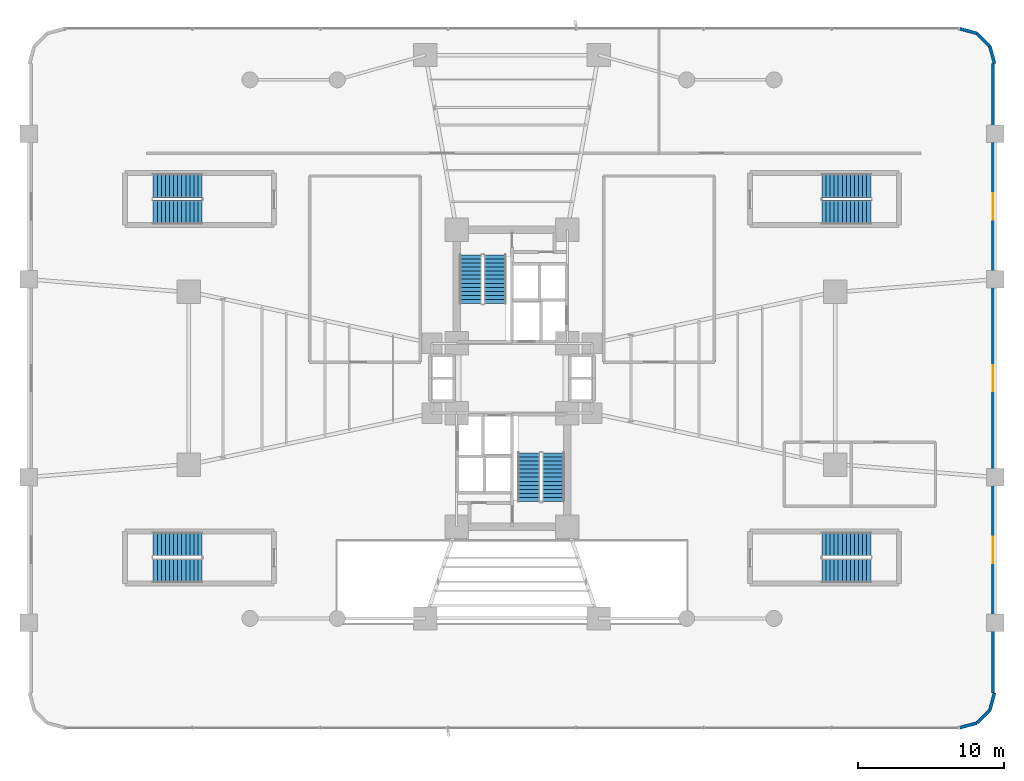
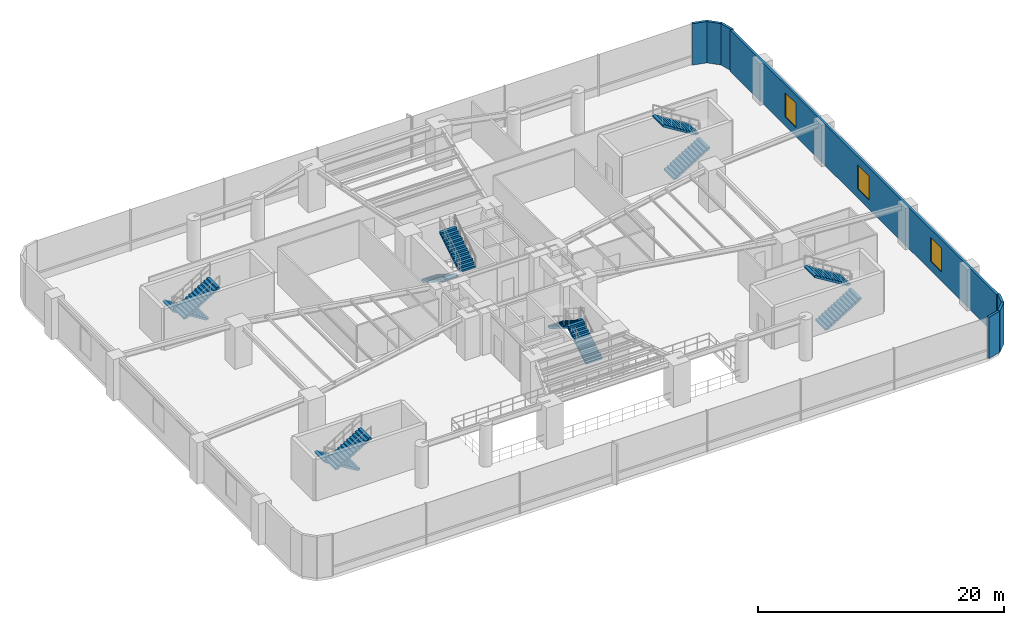
# One storey, part 18 of 23: 12 stair flights, 7 walls, 3 windows, 3 openings, 6 elements without a shape of their own.
"""IFC4 building model written with IfcOpenShell, lengths in metres."""

from ifc_helpers import new_model, si_unit, direction, frame, frame_2d, origin, origin_2d, place, context, subcontext, project, spatial, polyline, rectangle, outline, extrude, source, transform, mapped, material, layer, layer_set, type_object, element, fill, aggregate, save


model = new_model("IFC4")

# Units and contexts
model_context = context("Model", 3, precision=1e-05, world=origin(), true_north=direction((0.0, 1.0)))
body_context = subcontext(model_context, "Body", "Model", "MODEL_VIEW")
ifc_project = project(units=[si_unit("LENGTHUNIT", "METRE"), si_unit("AREAUNIT", "SQUARE_METRE"), si_unit("VOLUMEUNIT", "CUBIC_METRE"), si_unit("PLANEANGLEUNIT", "RADIAN"), si_unit("MASSUNIT", "GRAM", prefix="KILO")], contexts=[model_context])

# Site, building, storey
site_placement = place(None, origin())
site = spatial("IfcSite", under=ifc_project, at=site_placement, CompositionType="ELEMENT")
building_placement = place(site_placement, origin())
building = spatial("IfcBuilding", under=site, at=building_placement, Name="Sahyath Konkavel Grand Hotel", CompositionType="ELEMENT")
storey_placement = place(building_placement, frame((0.0, 0.0, 4.800048828125)))
storey = spatial("IfcBuildingStorey", under=building, at=storey_placement, Name="L01", CompositionType="ELEMENT", Elevation=4.800048828125)

# Walls
ifc_material_1 = material(Name="Warm Buff Sandstone Insulated Concrete C40/50", Category="masonry")
ifc_layer = layer(ifc_material_1, 0.219970703125)
ifc_layer_set = layer_set([ifc_layer], Name="Warm Buff Sandstone Insulated Concrete C40/50")
wall_type = type_object("IfcWallType", Name="WLL-BALC-THRESH", PredefinedType="STANDARD", material=ifc_layer_set)
wall_1_placement = place(storey_placement, frame((30.751953125, -24.012939453125, 0.0), z_axis=(0.0, 0.0, 1.0), x_axis=(0.965924366126, 0.258824494443, 0.0)))
element("IfcWall", 1, at=wall_1_placement, inside=storey, type_object=wall_type, Name="L01 Rounded Podium Corner Sandstone Pier 0", PredefinedType="STANDARD", context=body_context, shape_type="SweptSolid", body=[
    extrude(rectangle(XDim=1.2421875, YDim=0.219970703125, at=frame_2d((0.62109375, 0.0))), origin(), (0.0, 0.0, 1.0), 4.099853515625),
])
wall_2_placement = place(storey_placement, frame((31.951904296875, -23.69140625, 0.0), z_axis=(0.0, 0.0, 1.0), x_axis=(0.707205024573, 0.707008524149, 0.0)))
element("IfcWall", 2, at=wall_2_placement, inside=storey, type_object=wall_type, Name="L01 Rounded Podium Corner Sandstone Pier 1", PredefinedType="STANDARD", context=body_context, shape_type="SweptSolid", body=[
    extrude(rectangle(XDim=1.242431640625, YDim=0.219970703125, at=frame_2d((0.62109375, 0.0))), origin(), (0.0, 0.0, 1.0), 4.099853515625),
])
for number, where, z_axis, x_axis, name in (
    (3, (32.83056640625, -22.81298828125, 0.0), (0.0, 0.0, 1.0), (0.258824494443, 0.965924366126, 0.0), "L01 Rounded Podium Corner Sandstone Pier 2"),
    (4, (33.152099609375, 21.613037109375, 0.0), (0.0, 0.0, 1.0), (-0.258824494443, 0.965924366126, 0.0), "L01 Rounded Podium Corner Sandstone Pier 4"),
):
    element("IfcWall", number, at=place(storey_placement, frame(where, z_axis=z_axis, x_axis=x_axis)), inside=storey, type_object=wall_type, Name=name, PredefinedType="STANDARD", context=body_context, shape_type="SweptSolid", body=[
        extrude(rectangle(XDim=1.2421875, YDim=0.219970703125, at=frame_2d((0.62109375, 0.0))), origin(), (0.0, 0.0, 1.0), 4.099853515625),
    ])
wall_3_placement = place(storey_placement, frame((32.83056640625, 22.81298828125, 0.0), z_axis=(0.0, 0.0, 1.0), x_axis=(-0.707205024573, 0.707008524149, 0.0)))
element("IfcWall", 5, at=wall_3_placement, inside=storey, type_object=wall_type, Name="L01 Rounded Podium Corner Sandstone Pier 5", PredefinedType="STANDARD", context=body_context, shape_type="SweptSolid", body=[
    extrude(rectangle(XDim=1.242431640625, YDim=0.219970703125, at=frame_2d((0.62109375, 0.0))), origin(), (0.0, 0.0, 1.0), 4.099853515625),
])
wall_4_placement = place(storey_placement, frame((31.951904296875, 23.69140625, 0.0), z_axis=(0.0, 0.0, 1.0), x_axis=(-0.965924366126, 0.258824494443, 0.0)))
element("IfcWall", 6, at=wall_4_placement, inside=storey, type_object=wall_type, Name="L01 Rounded Podium Corner Sandstone Pier 6", PredefinedType="STANDARD", context=body_context, shape_type="SweptSolid", body=[
    extrude(rectangle(XDim=1.2421875, YDim=0.219970703125, at=frame_2d((0.62109375, 0.0))), origin(), (0.0, 0.0, 1.0), 4.099853515625),
])

# Wall, openings, windows
wall_5_placement = place(storey_placement, frame((33.0419921875, -21.613037109375, 0.0), z_axis=(0.0, 0.0, 1.0), x_axis=(0.0, 1.0, 0.0)))
wall_5 = element("IfcWall", 7, at=wall_5_placement, inside=storey, type_object=wall_type, Name="L01 Sandstone Podium Facade Wall E", PredefinedType="STANDARD", context=body_context, shape_type="SweptSolid", body=[
    extrude(rectangle(XDim=43.22607421875, YDim=0.219970703125, at=frame_2d((21.613037109375, 0.0))), origin(), (0.0, 0.0, 1.0), 4.099853515625),
])
opening_1_placement = place(wall_5_placement, frame((8.9130859375, 0.0, 0.89990234375)))
opening_1 = element("IfcOpeningElement", 8, at=opening_1_placement, cuts=wall_5, Name="Opening W-PD1", PredefinedType="OPENING", context=body_context, shape_type="SweptSolid", body=[
    extrude(rectangle(XDim=1.800048828125, YDim=2.39990234375, at=frame_2d((0.89990234375, 1.199951171875))), frame((0.0, 0.1201171875, 0.0), z_axis=(0.0, -1.0, 0.0), x_axis=(1.0, 0.0, 0.0)), (0.0, 0.0, 1.0), 0.239990234375),
])
opening_2_placement = place(wall_5_placement, frame((20.712890625, 0.0, 0.89990234375)))
opening_2 = element("IfcOpeningElement", 9, at=opening_2_placement, cuts=wall_5, Name="Opening W-PD1", PredefinedType="OPENING", context=body_context, shape_type="SweptSolid", body=[
    extrude(rectangle(XDim=1.800048828125, YDim=2.39990234375, at=frame_2d((0.89990234375, 1.199951171875))), frame((0.0, 0.1201171875, 0.0), z_axis=(0.0, -1.0, 0.0), x_axis=(1.0, 0.0, 0.0)), (0.0, 0.0, 1.0), 0.239990234375),
])
opening_3_placement = place(wall_5_placement, frame((32.512939453125, 0.0, 0.89990234375)))
opening_3 = element("IfcOpeningElement", 10, at=opening_3_placement, cuts=wall_5, Name="Opening W-PD1", PredefinedType="OPENING", context=body_context, shape_type="SweptSolid", body=[
    extrude(rectangle(XDim=1.800048828125, YDim=2.39990234375, at=frame_2d((0.89990234375, 1.199951171875))), frame((0.0, 0.1201171875, 0.0), z_axis=(0.0, -1.0, 0.0), x_axis=(1.0, 0.0, 0.0)), (0.0, 0.0, 1.0), 0.239990234375),
])
ifc_material_2 = material(Name="Anodised Bronze Aluminium & Low-E Glazing", Category="aluminium")
window_type = type_object("IfcWindowType", Name="WIN-POD-1800", PartitioningType="SINGLE_PANEL", PredefinedType="WINDOW", material=ifc_material_2)
shared_shape = source(origin(), body_context, "Body", "SweptSolid", [
    extrude(rectangle(XDim=1.800048828125, YDim=0.06005859375, at=origin_2d()), origin(), (0.0, 0.0, 1.0), 2.39990234375),
])
window_1_placement = place(opening_1_placement, frame((0.89990234375, 0.0, 0.0)))
window_1 = element("IfcWindow", 11, at=window_1_placement, inside=storey, type_object=window_type, Name="L01 Podium Window E-1", OverallHeight=2.39990234375, OverallWidth=1.800048828125, PartitioningType="SINGLE_PANEL", PredefinedType="WINDOW", context=body_context, shape_type="MappedRepresentation", body=[
    mapped(shared_shape, transform((0.0, 0.0, 0.0), scale=1.0)),
])
fill(opening_1, window_1)
window_2_placement = place(opening_2_placement, frame((0.89990234375, 0.0, 0.0)))
window_2 = element("IfcWindow", 12, at=window_2_placement, inside=storey, type_object=window_type, Name="L01 Podium Window E-2", OverallHeight=2.39990234375, OverallWidth=1.800048828125, PartitioningType="SINGLE_PANEL", PredefinedType="WINDOW", context=body_context, shape_type="MappedRepresentation", body=[
    mapped(shared_shape, transform((0.0, 0.0, 0.0), scale=1.0)),
])
fill(opening_2, window_2)
window_3_placement = place(opening_3_placement, frame((0.89990234375, 0.0, 0.0)))
window_3 = element("IfcWindow", 13, at=window_3_placement, inside=storey, type_object=window_type, Name="L01 Podium Window E-3", OverallHeight=2.39990234375, OverallWidth=1.800048828125, PartitioningType="SINGLE_PANEL", PredefinedType="WINDOW", context=body_context, shape_type="MappedRepresentation", body=[
    mapped(shared_shape, transform((0.0, 0.0, 0.0), scale=1.0)),
])
fill(opening_3, window_3)

# Stair, stair flights
ifc_material_3 = material(Name="Concrete C40/50", Category="concrete")
stair_type = type_object("IfcStairType", Name="STR-ST16-450", PredefinedType="HALF_TURN_STAIR", material=ifc_material_3)
stair_1_placement = place(storey_placement, origin())
stair_1 = element("IfcStair", 14, at=stair_1_placement, inside=storey, type_object=stair_type, Name="L01 North Core Smokeproof Exit Stair ST-1", PredefinedType="HALF_TURN_STAIR")
stair_flight_type = type_object("IfcStairFlightType", Name="STF-ST16-450", PredefinedType="STRAIGHT", material=ifc_material_3)
stair_flight_1_placement = place(storey_placement, frame((-2.840087890625, 8.47998046875, 0.0), z_axis=(0.0, 0.0, 1.0), x_axis=(0.0, -1.0, 0.0)))
stair_flight_1 = element("IfcStairFlight", 15, at=stair_flight_1_placement, type_object=stair_flight_type, Name="ST-1 flight 1", NumberOfRisers=13, NumberOfTreads=12, PredefinedType="STRAIGHT", RiserHeight=0.173076923, TreadLength=0.28, context=body_context, shape_type="SweptSolid", body=[
    extrude(outline(polyline([(0.0, 0.0), (0.0, 0.173095703125), (0.280029296875, 0.173095703125), (0.280029296875, 0.34619140625), (0.56005859375, 0.34619140625), (0.56005859375, 0.519287109375), (0.840087890625, 0.519287109375), (0.840087890625, 0.6923828125), (1.1201171875, 0.6923828125), (1.1201171875, 0.865478515625), (1.39990234375, 0.865478515625), (1.39990234375, 1.03857421875), (1.679931640625, 1.03857421875), (1.679931640625, 1.21142578125), (1.9599609375, 1.21142578125), (1.9599609375, 1.384521484375), (2.239990234375, 1.384521484375), (2.239990234375, 1.5576171875), (2.52001953125, 1.5576171875), (2.52001953125, 1.730712890625), (2.800048828125, 1.730712890625), (2.800048828125, 1.90380859375), (3.080078125, 1.90380859375), (3.080078125, 2.076904296875), (3.360107421875, 2.076904296875), (3.360107421875, 2.25), (3.360107421875, 1.900634765625), (0.28515625, 0.0), (0.0, 0.0)])), frame((0.0, 0.760009765625, 0.0), z_axis=(0.0, -1.0, 0.0), x_axis=(1.0, 0.0, 0.0)), (0.0, 0.0, 1.0), 1.52001953125),
])
stair_flight_2_placement = place(storey_placement, frame((-1.159912109375, 5.1201171875, 2.25), z_axis=(0.0, 0.0, 1.0), x_axis=(0.0, 1.0, 0.0)))
stair_flight_2 = element("IfcStairFlight", 16, at=stair_flight_2_placement, type_object=stair_flight_type, Name="ST-1 flight 2", NumberOfRisers=13, NumberOfTreads=12, PredefinedType="STRAIGHT", RiserHeight=0.173076923, TreadLength=0.28, context=body_context, shape_type="SweptSolid", body=[
    extrude(outline(polyline([(0.0, 0.0), (0.0, 0.173095703125), (0.280029296875, 0.173095703125), (0.280029296875, 0.34619140625), (0.56005859375, 0.34619140625), (0.56005859375, 0.519287109375), (0.840087890625, 0.519287109375), (0.840087890625, 0.6923828125), (1.1201171875, 0.6923828125), (1.1201171875, 0.865478515625), (1.39990234375, 0.865478515625), (1.39990234375, 1.03857421875), (1.679931640625, 1.03857421875), (1.679931640625, 1.21142578125), (1.9599609375, 1.21142578125), (1.9599609375, 1.384521484375), (2.239990234375, 1.384521484375), (2.239990234375, 1.5576171875), (2.52001953125, 1.5576171875), (2.52001953125, 1.730712890625), (2.800048828125, 1.730712890625), (2.800048828125, 1.90380859375), (3.080078125, 1.90380859375), (3.080078125, 2.076904296875), (3.360107421875, 2.076904296875), (3.360107421875, 2.25), (3.360107421875, 1.900634765625), (0.28515625, 0.0), (0.0, 0.0)])), frame((0.0, 0.760009765625, 0.0), z_axis=(0.0, -1.0, 0.0), x_axis=(1.0, 0.0, 0.0)), (0.0, 0.0, 1.0), 1.52001953125),
])
aggregate(stair_1, [stair_flight_1, stair_flight_2])

stair_2_placement = place(storey_placement, origin())
stair_2 = element("IfcStair", 17, at=stair_2_placement, inside=storey, type_object=stair_type, Name="L01 South Core Smokeproof Exit Stair ST-2", PredefinedType="HALF_TURN_STAIR")
stair_flight_3_placement = place(storey_placement, frame((2.840087890625, -8.47998046875, 0.0), z_axis=(0.0, 0.0, 1.0), x_axis=(0.0, 1.0, 0.0)))
stair_flight_3 = element("IfcStairFlight", 18, at=stair_flight_3_placement, type_object=stair_flight_type, Name="ST-2 flight 1", NumberOfRisers=13, NumberOfTreads=12, PredefinedType="STRAIGHT", RiserHeight=0.173076923, TreadLength=0.28, context=body_context, shape_type="SweptSolid", body=[
    extrude(outline(polyline([(0.0, 0.0), (0.0, 0.173095703125), (0.280029296875, 0.173095703125), (0.280029296875, 0.34619140625), (0.56005859375, 0.34619140625), (0.56005859375, 0.519287109375), (0.840087890625, 0.519287109375), (0.840087890625, 0.6923828125), (1.1201171875, 0.6923828125), (1.1201171875, 0.865478515625), (1.39990234375, 0.865478515625), (1.39990234375, 1.03857421875), (1.679931640625, 1.03857421875), (1.679931640625, 1.21142578125), (1.9599609375, 1.21142578125), (1.9599609375, 1.384521484375), (2.239990234375, 1.384521484375), (2.239990234375, 1.5576171875), (2.52001953125, 1.5576171875), (2.52001953125, 1.730712890625), (2.800048828125, 1.730712890625), (2.800048828125, 1.90380859375), (3.080078125, 1.90380859375), (3.080078125, 2.076904296875), (3.360107421875, 2.076904296875), (3.360107421875, 2.25), (3.360107421875, 1.900634765625), (0.28515625, 0.0), (0.0, 0.0)])), frame((0.0, 0.760009765625, 0.0), z_axis=(0.0, -1.0, 0.0), x_axis=(1.0, 0.0, 0.0)), (0.0, 0.0, 1.0), 1.52001953125),
])
stair_flight_4_placement = place(storey_placement, frame((1.159912109375, -5.1201171875, 2.25), z_axis=(0.0, 0.0, 1.0), x_axis=(0.0, -1.0, 0.0)))
stair_flight_4 = element("IfcStairFlight", 19, at=stair_flight_4_placement, type_object=stair_flight_type, Name="ST-2 flight 2", NumberOfRisers=13, NumberOfTreads=12, PredefinedType="STRAIGHT", RiserHeight=0.173076923, TreadLength=0.28, context=body_context, shape_type="SweptSolid", body=[
    extrude(outline(polyline([(0.0, 0.0), (0.0, 0.173095703125), (0.280029296875, 0.173095703125), (0.280029296875, 0.34619140625), (0.56005859375, 0.34619140625), (0.56005859375, 0.519287109375), (0.840087890625, 0.519287109375), (0.840087890625, 0.6923828125), (1.1201171875, 0.6923828125), (1.1201171875, 0.865478515625), (1.39990234375, 0.865478515625), (1.39990234375, 1.03857421875), (1.679931640625, 1.03857421875), (1.679931640625, 1.21142578125), (1.9599609375, 1.21142578125), (1.9599609375, 1.384521484375), (2.239990234375, 1.384521484375), (2.239990234375, 1.5576171875), (2.52001953125, 1.5576171875), (2.52001953125, 1.730712890625), (2.800048828125, 1.730712890625), (2.800048828125, 1.90380859375), (3.080078125, 1.90380859375), (3.080078125, 2.076904296875), (3.360107421875, 2.076904296875), (3.360107421875, 2.25), (3.360107421875, 1.900634765625), (0.28515625, 0.0), (0.0, 0.0)])), frame((0.0, 0.760009765625, 0.0), z_axis=(0.0, -1.0, 0.0), x_axis=(1.0, 0.0, 0.0)), (0.0, 0.0, 1.0), 1.52001953125),
])
aggregate(stair_2, [stair_flight_3, stair_flight_4])

stair_3_placement = place(storey_placement, origin())
stair_3 = element("IfcStair", 20, at=stair_3_placement, inside=storey, type_object=stair_type, Name="L01 Podium Protected Exit Stair ST-P1", PredefinedType="HALF_TURN_STAIR")
stair_flight_5_placement = place(storey_placement, frame((-21.2900390625, 13.215087890625, 0.0), z_axis=(0.0, 0.0, 1.0), x_axis=(-1.0, 0.0, 0.0)))
stair_flight_5 = element("IfcStairFlight", 21, at=stair_flight_5_placement, type_object=stair_flight_type, Name="ST-P1 flight 1", NumberOfRisers=13, NumberOfTreads=12, PredefinedType="STRAIGHT", RiserHeight=0.173076923, TreadLength=0.28, context=body_context, shape_type="SweptSolid", body=[
    extrude(outline(polyline([(0.0, 0.0), (0.0, 0.173095703125), (0.280029296875, 0.173095703125), (0.280029296875, 0.34619140625), (0.56005859375, 0.34619140625), (0.56005859375, 0.519287109375), (0.840087890625, 0.519287109375), (0.840087890625, 0.6923828125), (1.1201171875, 0.6923828125), (1.1201171875, 0.865478515625), (1.39990234375, 0.865478515625), (1.39990234375, 1.03857421875), (1.679931640625, 1.03857421875), (1.679931640625, 1.21142578125), (1.9599609375, 1.21142578125), (1.9599609375, 1.384521484375), (2.239990234375, 1.384521484375), (2.239990234375, 1.5576171875), (2.52001953125, 1.5576171875), (2.52001953125, 1.730712890625), (2.800048828125, 1.730712890625), (2.800048828125, 1.90380859375), (3.080078125, 1.90380859375), (3.080078125, 2.076904296875), (3.360107421875, 2.076904296875), (3.360107421875, 2.25), (3.360107421875, 1.900634765625), (0.28515625, 0.0), (0.0, 0.0)])), frame((0.0, 0.824951171875, 0.0), z_axis=(0.0, -1.0, 0.0), x_axis=(1.0, 0.0, 0.0)), (0.0, 0.0, 1.0), 1.64990234375),
])
stair_flight_6_placement = place(storey_placement, frame((-24.64990234375, 11.405029296875, 2.25), z_axis=(0.0, 0.0, 1.0), x_axis=(1.0, 0.0, 0.0)))
stair_flight_6 = element("IfcStairFlight", 22, at=stair_flight_6_placement, type_object=stair_flight_type, Name="ST-P1 flight 2", NumberOfRisers=13, NumberOfTreads=12, PredefinedType="STRAIGHT", RiserHeight=0.173076923, TreadLength=0.28, context=body_context, shape_type="SweptSolid", body=[
    extrude(outline(polyline([(0.0, 0.0), (0.0, 0.173095703125), (0.280029296875, 0.173095703125), (0.280029296875, 0.34619140625), (0.56005859375, 0.34619140625), (0.56005859375, 0.519287109375), (0.840087890625, 0.519287109375), (0.840087890625, 0.6923828125), (1.1201171875, 0.6923828125), (1.1201171875, 0.865478515625), (1.39990234375, 0.865478515625), (1.39990234375, 1.03857421875), (1.679931640625, 1.03857421875), (1.679931640625, 1.21142578125), (1.9599609375, 1.21142578125), (1.9599609375, 1.384521484375), (2.239990234375, 1.384521484375), (2.239990234375, 1.5576171875), (2.52001953125, 1.5576171875), (2.52001953125, 1.730712890625), (2.800048828125, 1.730712890625), (2.800048828125, 1.90380859375), (3.080078125, 1.90380859375), (3.080078125, 2.076904296875), (3.360107421875, 2.076904296875), (3.360107421875, 2.25), (3.360107421875, 1.900634765625), (0.28515625, 0.0), (0.0, 0.0)])), frame((0.0, 0.824951171875, 0.0), z_axis=(0.0, -1.0, 0.0), x_axis=(1.0, 0.0, 0.0)), (0.0, 0.0, 1.0), 1.64990234375),
])
aggregate(stair_3, [stair_flight_5, stair_flight_6])

stair_4_placement = place(storey_placement, origin())
stair_4 = element("IfcStair", 23, at=stair_4_placement, inside=storey, type_object=stair_type, Name="L01 Podium Protected Exit Stair ST-P2", PredefinedType="HALF_TURN_STAIR")
stair_flight_7_placement = place(storey_placement, frame((21.2900390625, 11.405029296875, 0.0), z_axis=(0.0, 0.0, 1.0), x_axis=(1.0, 0.0, 0.0)))
stair_flight_7 = element("IfcStairFlight", 24, at=stair_flight_7_placement, type_object=stair_flight_type, Name="ST-P2 flight 1", NumberOfRisers=13, NumberOfTreads=12, PredefinedType="STRAIGHT", RiserHeight=0.173076923, TreadLength=0.28, context=body_context, shape_type="SweptSolid", body=[
    extrude(outline(polyline([(0.0, 0.0), (0.0, 0.173095703125), (0.280029296875, 0.173095703125), (0.280029296875, 0.34619140625), (0.56005859375, 0.34619140625), (0.56005859375, 0.519287109375), (0.840087890625, 0.519287109375), (0.840087890625, 0.6923828125), (1.1201171875, 0.6923828125), (1.1201171875, 0.865478515625), (1.39990234375, 0.865478515625), (1.39990234375, 1.03857421875), (1.679931640625, 1.03857421875), (1.679931640625, 1.21142578125), (1.9599609375, 1.21142578125), (1.9599609375, 1.384521484375), (2.239990234375, 1.384521484375), (2.239990234375, 1.5576171875), (2.52001953125, 1.5576171875), (2.52001953125, 1.730712890625), (2.800048828125, 1.730712890625), (2.800048828125, 1.90380859375), (3.080078125, 1.90380859375), (3.080078125, 2.076904296875), (3.360107421875, 2.076904296875), (3.360107421875, 2.25), (3.360107421875, 1.900634765625), (0.28515625, 0.0), (0.0, 0.0)])), frame((0.0, 0.824951171875, 0.0), z_axis=(0.0, -1.0, 0.0), x_axis=(1.0, 0.0, 0.0)), (0.0, 0.0, 1.0), 1.64990234375),
])
stair_flight_8_placement = place(storey_placement, frame((24.64990234375, 13.215087890625, 2.25), z_axis=(0.0, 0.0, 1.0), x_axis=(-1.0, 0.0, 0.0)))
stair_flight_8 = element("IfcStairFlight", 25, at=stair_flight_8_placement, type_object=stair_flight_type, Name="ST-P2 flight 2", NumberOfRisers=13, NumberOfTreads=12, PredefinedType="STRAIGHT", RiserHeight=0.173076923, TreadLength=0.28, context=body_context, shape_type="SweptSolid", body=[
    extrude(outline(polyline([(0.0, 0.0), (0.0, 0.173095703125), (0.280029296875, 0.173095703125), (0.280029296875, 0.34619140625), (0.56005859375, 0.34619140625), (0.56005859375, 0.519287109375), (0.840087890625, 0.519287109375), (0.840087890625, 0.6923828125), (1.1201171875, 0.6923828125), (1.1201171875, 0.865478515625), (1.39990234375, 0.865478515625), (1.39990234375, 1.03857421875), (1.679931640625, 1.03857421875), (1.679931640625, 1.21142578125), (1.9599609375, 1.21142578125), (1.9599609375, 1.384521484375), (2.239990234375, 1.384521484375), (2.239990234375, 1.5576171875), (2.52001953125, 1.5576171875), (2.52001953125, 1.730712890625), (2.800048828125, 1.730712890625), (2.800048828125, 1.90380859375), (3.080078125, 1.90380859375), (3.080078125, 2.076904296875), (3.360107421875, 2.076904296875), (3.360107421875, 2.25), (3.360107421875, 1.900634765625), (0.28515625, 0.0), (0.0, 0.0)])), frame((0.0, 0.824951171875, 0.0), z_axis=(0.0, -1.0, 0.0), x_axis=(1.0, 0.0, 0.0)), (0.0, 0.0, 1.0), 1.64990234375),
])
aggregate(stair_4, [stair_flight_7, stair_flight_8])

stair_5_placement = place(storey_placement, origin())
stair_5 = element("IfcStair", 26, at=stair_5_placement, inside=storey, type_object=stair_type, Name="L01 Podium Protected Exit Stair ST-P3", PredefinedType="HALF_TURN_STAIR")
stair_flight_9_placement = place(storey_placement, frame((-21.2900390625, -11.405029296875, 0.0), z_axis=(0.0, 0.0, 1.0), x_axis=(-1.0, 0.0, 0.0)))
stair_flight_9 = element("IfcStairFlight", 27, at=stair_flight_9_placement, type_object=stair_flight_type, Name="ST-P3 flight 1", NumberOfRisers=13, NumberOfTreads=12, PredefinedType="STRAIGHT", RiserHeight=0.173076923, TreadLength=0.28, context=body_context, shape_type="SweptSolid", body=[
    extrude(outline(polyline([(0.0, 0.0), (0.0, 0.173095703125), (0.280029296875, 0.173095703125), (0.280029296875, 0.34619140625), (0.56005859375, 0.34619140625), (0.56005859375, 0.519287109375), (0.840087890625, 0.519287109375), (0.840087890625, 0.6923828125), (1.1201171875, 0.6923828125), (1.1201171875, 0.865478515625), (1.39990234375, 0.865478515625), (1.39990234375, 1.03857421875), (1.679931640625, 1.03857421875), (1.679931640625, 1.21142578125), (1.9599609375, 1.21142578125), (1.9599609375, 1.384521484375), (2.239990234375, 1.384521484375), (2.239990234375, 1.5576171875), (2.52001953125, 1.5576171875), (2.52001953125, 1.730712890625), (2.800048828125, 1.730712890625), (2.800048828125, 1.90380859375), (3.080078125, 1.90380859375), (3.080078125, 2.076904296875), (3.360107421875, 2.076904296875), (3.360107421875, 2.25), (3.360107421875, 1.900634765625), (0.28515625, 0.0), (0.0, 0.0)])), frame((0.0, 0.824951171875, 0.0), z_axis=(0.0, -1.0, 0.0), x_axis=(1.0, 0.0, 0.0)), (0.0, 0.0, 1.0), 1.64990234375),
])
stair_flight_10_placement = place(storey_placement, frame((-24.64990234375, -13.215087890625, 2.25), z_axis=(0.0, 0.0, 1.0), x_axis=(1.0, 0.0, 0.0)))
stair_flight_10 = element("IfcStairFlight", 28, at=stair_flight_10_placement, type_object=stair_flight_type, Name="ST-P3 flight 2", NumberOfRisers=13, NumberOfTreads=12, PredefinedType="STRAIGHT", RiserHeight=0.173076923, TreadLength=0.28, context=body_context, shape_type="SweptSolid", body=[
    extrude(outline(polyline([(0.0, 0.0), (0.0, 0.173095703125), (0.280029296875, 0.173095703125), (0.280029296875, 0.34619140625), (0.56005859375, 0.34619140625), (0.56005859375, 0.519287109375), (0.840087890625, 0.519287109375), (0.840087890625, 0.6923828125), (1.1201171875, 0.6923828125), (1.1201171875, 0.865478515625), (1.39990234375, 0.865478515625), (1.39990234375, 1.03857421875), (1.679931640625, 1.03857421875), (1.679931640625, 1.21142578125), (1.9599609375, 1.21142578125), (1.9599609375, 1.384521484375), (2.239990234375, 1.384521484375), (2.239990234375, 1.5576171875), (2.52001953125, 1.5576171875), (2.52001953125, 1.730712890625), (2.800048828125, 1.730712890625), (2.800048828125, 1.90380859375), (3.080078125, 1.90380859375), (3.080078125, 2.076904296875), (3.360107421875, 2.076904296875), (3.360107421875, 2.25), (3.360107421875, 1.900634765625), (0.28515625, 0.0), (0.0, 0.0)])), frame((0.0, 0.824951171875, 0.0), z_axis=(0.0, -1.0, 0.0), x_axis=(1.0, 0.0, 0.0)), (0.0, 0.0, 1.0), 1.64990234375),
])
aggregate(stair_5, [stair_flight_9, stair_flight_10])

stair_6_placement = place(storey_placement, origin())
stair_6 = element("IfcStair", 29, at=stair_6_placement, inside=storey, type_object=stair_type, Name="L01 Podium Protected Exit Stair ST-P4", PredefinedType="HALF_TURN_STAIR")
stair_flight_11_placement = place(storey_placement, frame((21.2900390625, -13.215087890625, 0.0), z_axis=(0.0, 0.0, 1.0), x_axis=(1.0, 0.0, 0.0)))
stair_flight_11 = element("IfcStairFlight", 30, at=stair_flight_11_placement, type_object=stair_flight_type, Name="ST-P4 flight 1", NumberOfRisers=13, NumberOfTreads=12, PredefinedType="STRAIGHT", RiserHeight=0.173076923, TreadLength=0.28, context=body_context, shape_type="SweptSolid", body=[
    extrude(outline(polyline([(0.0, 0.0), (0.0, 0.173095703125), (0.280029296875, 0.173095703125), (0.280029296875, 0.34619140625), (0.56005859375, 0.34619140625), (0.56005859375, 0.519287109375), (0.840087890625, 0.519287109375), (0.840087890625, 0.6923828125), (1.1201171875, 0.6923828125), (1.1201171875, 0.865478515625), (1.39990234375, 0.865478515625), (1.39990234375, 1.03857421875), (1.679931640625, 1.03857421875), (1.679931640625, 1.21142578125), (1.9599609375, 1.21142578125), (1.9599609375, 1.384521484375), (2.239990234375, 1.384521484375), (2.239990234375, 1.5576171875), (2.52001953125, 1.5576171875), (2.52001953125, 1.730712890625), (2.800048828125, 1.730712890625), (2.800048828125, 1.90380859375), (3.080078125, 1.90380859375), (3.080078125, 2.076904296875), (3.360107421875, 2.076904296875), (3.360107421875, 2.25), (3.360107421875, 1.900634765625), (0.28515625, 0.0), (0.0, 0.0)])), frame((0.0, 0.824951171875, 0.0), z_axis=(0.0, -1.0, 0.0), x_axis=(1.0, 0.0, 0.0)), (0.0, 0.0, 1.0), 1.64990234375),
])
stair_flight_12_placement = place(storey_placement, frame((24.64990234375, -11.405029296875, 2.25), z_axis=(0.0, 0.0, 1.0), x_axis=(-1.0, 0.0, 0.0)))
stair_flight_12 = element("IfcStairFlight", 31, at=stair_flight_12_placement, type_object=stair_flight_type, Name="ST-P4 flight 2", NumberOfRisers=13, NumberOfTreads=12, PredefinedType="STRAIGHT", RiserHeight=0.173076923, TreadLength=0.28, context=body_context, shape_type="SweptSolid", body=[
    extrude(outline(polyline([(0.0, 0.0), (0.0, 0.173095703125), (0.280029296875, 0.173095703125), (0.280029296875, 0.34619140625), (0.56005859375, 0.34619140625), (0.56005859375, 0.519287109375), (0.840087890625, 0.519287109375), (0.840087890625, 0.6923828125), (1.1201171875, 0.6923828125), (1.1201171875, 0.865478515625), (1.39990234375, 0.865478515625), (1.39990234375, 1.03857421875), (1.679931640625, 1.03857421875), (1.679931640625, 1.21142578125), (1.9599609375, 1.21142578125), (1.9599609375, 1.384521484375), (2.239990234375, 1.384521484375), (2.239990234375, 1.5576171875), (2.52001953125, 1.5576171875), (2.52001953125, 1.730712890625), (2.800048828125, 1.730712890625), (2.800048828125, 1.90380859375), (3.080078125, 1.90380859375), (3.080078125, 2.076904296875), (3.360107421875, 2.076904296875), (3.360107421875, 2.25), (3.360107421875, 1.900634765625), (0.28515625, 0.0), (0.0, 0.0)])), frame((0.0, 0.824951171875, 0.0), z_axis=(0.0, -1.0, 0.0), x_axis=(1.0, 0.0, 0.0)), (0.0, 0.0, 1.0), 1.64990234375),
])
aggregate(stair_6, [stair_flight_11, stair_flight_12])

save(model, "model.ifc")
